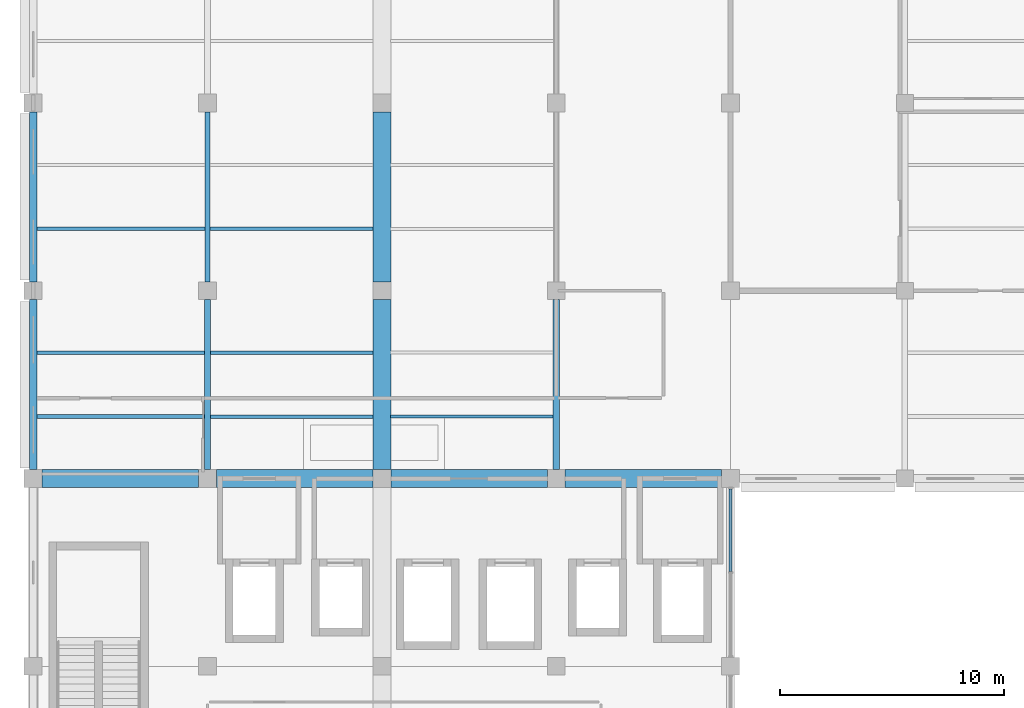
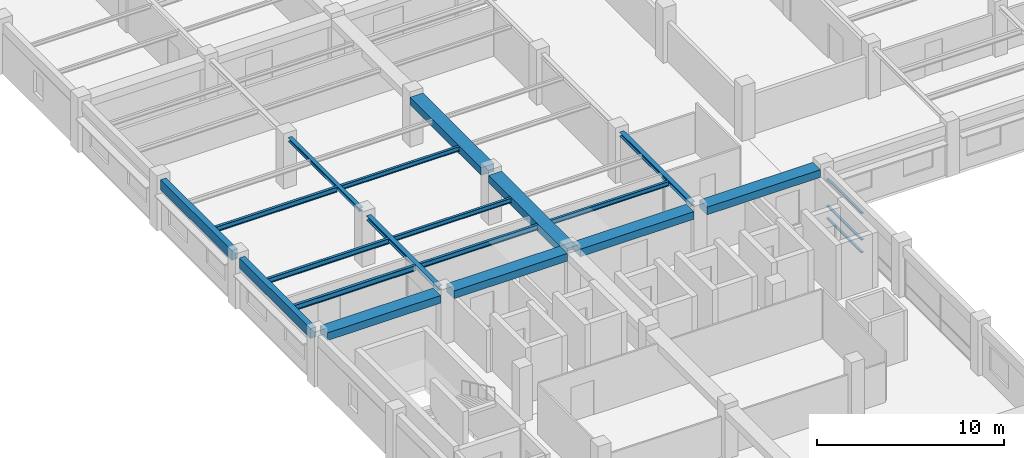
# One storey, part 4 of 50: 18 beams, 3 members, 1 element without a shape of its own.
"""IFC4 building model written with IfcOpenShell, lengths in metres."""

from ifc_helpers import new_model, si_unit, direction, frame, origin, origin_2d, place, context, subcontext, project, spatial, rectangle, hollow_rectangle, i_section, extrude, material, material_profile, profile_set, type_object, element, aggregate, save


model = new_model("IFC4")

# Units and contexts
model_context = context("Model", 3, precision=1e-05, world=origin(), true_north=direction((0.0, 1.0)))
body_context = subcontext(model_context, "Body", "Model", "MODEL_VIEW")
ifc_project = project(units=[si_unit("LENGTHUNIT", "METRE"), si_unit("AREAUNIT", "SQUARE_METRE"), si_unit("VOLUMEUNIT", "CUBIC_METRE"), si_unit("PLANEANGLEUNIT", "RADIAN"), si_unit("MASSUNIT", "GRAM", prefix="KILO"), si_unit("THERMODYNAMICTEMPERATUREUNIT", "KELVIN"), si_unit("POWERUNIT", "WATT")], contexts=[model_context])

# Site, building, storey
site_placement = place(None, origin())
site = spatial("IfcSite", under=ifc_project, at=site_placement, CompositionType="ELEMENT")
building_placement = place(site_placement, origin())
building = spatial("IfcBuilding", under=site, at=building_placement, Name="Srebrne Nadtorze General Hospital", CompositionType="ELEMENT")
storey_placement = place(building_placement, frame((0.0, 0.0, 14.39990234375)))
storey = spatial("IfcBuildingStorey", under=building, at=storey_placement, Name="L03", CompositionType="ELEMENT", Elevation=14.39990234375)

# Curtain wall, members
ifc_material_1 = material(Name="Anodised Aluminium", Category="aluminium")
curtain_wall_type = type_object("IfcCurtainWallType", Name="Unitised curtain wall 7600x2620", PredefinedType="NOTDEFINED", material=ifc_material_1)
curtain_wall_placement = place(storey_placement, origin())
curtain_wall = element("IfcCurtainWall", 1, at=curtain_wall_placement, inside=storey, type_object=curtain_wall_type, Name="Curtain wall CW-095", PredefinedType="NOTDEFINED")
ifc_material_2 = material(Name="Anodised Aluminium", Category="aluminium")
ifc_material_profile_1 = material_profile(ifc_material_2, hollow_rectangle(XDim=0.06494140625, YDim=0.139892578125, WallThickness=0.00390625, at=origin_2d()), Name="AL-TRN-65x140")
ifc_profile_set_1 = profile_set([ifc_material_profile_1], Name="Anodised Aluminium")
member_type = type_object("IfcMemberType", Name="Curtain transom 65x140", PredefinedType="USERDEFINED", material=ifc_profile_set_1)
member_1_placement = place(storey_placement, frame((54.60009765625, 46.232421875, 0.03271484375), z_axis=(0.0, 1.0, 0.0), x_axis=(0.0, 0.0, 1.0)))
member_1 = element("IfcMember", 2, at=member_1_placement, type_object=member_type, Name="CW-095 transom 2.1", ObjectType="TRANSOM", PredefinedType="USERDEFINED", context=body_context, shape_type="SweptSolid", body=[
    extrude(hollow_rectangle(XDim=0.06494140625, YDim=0.139892578125, WallThickness=0.00390625, at=origin_2d()), origin(), (0.0, 0.0, 1.0), 3.70263671875),
])
member_2_placement = place(storey_placement, frame((54.60009765625, 46.232421875, 0.85009765625), z_axis=(0.0, 1.0, 0.0), x_axis=(0.0, 0.0, 1.0)))
member_2 = element("IfcMember", 3, at=member_2_placement, type_object=member_type, Name="CW-095 transom 2.2", ObjectType="TRANSOM", PredefinedType="USERDEFINED", context=body_context, shape_type="SweptSolid", body=[
    extrude(hollow_rectangle(XDim=0.06494140625, YDim=0.139892578125, WallThickness=0.00390625, at=origin_2d()), origin(), (0.0, 0.0, 1.0), 3.70263671875),
])
member_3_placement = place(storey_placement, frame((54.60009765625, 46.232421875, 2.587646484375), z_axis=(0.0, 1.0, 0.0), x_axis=(0.0, 0.0, 1.0)))
member_3 = element("IfcMember", 4, at=member_3_placement, type_object=member_type, Name="CW-095 transom 2.3", ObjectType="TRANSOM", PredefinedType="USERDEFINED", context=body_context, shape_type="SweptSolid", body=[
    extrude(hollow_rectangle(XDim=0.06494140625, YDim=0.139892578125, WallThickness=0.00390625, at=origin_2d()), origin(), (0.0, 0.0, 1.0), 3.70263671875),
])
aggregate(curtain_wall, [member_1, member_2, member_3])

# Beams
ifc_material_3 = material(Name="Steel S355J2", Category="steel")
ifc_material_profile_2 = material_profile(ifc_material_3, i_section(OverallWidth=0.159912109375, OverallDepth=0.330078125, WebThickness=0.007568359375, FlangeThickness=0.011474609375, FilletRadius=0.01806640625, at=origin_2d()), Name="IPE-330")
ifc_profile_set_2 = profile_set([ifc_material_profile_2], Name="Steel S355J2")
beam_type_1 = type_object("IfcBeamType", Name="Deck joist IPE 330", PredefinedType="JOIST", material=ifc_profile_set_2)
beam_1_placement = place(storey_placement, frame((23.570068359375, 56.028076171875, 3.10498046875), z_axis=(1.0, 0.0, 0.0), x_axis=(0.0, 1.0, 0.0)))
element("IfcBeam", 5, at=beam_1_placement, inside=storey, type_object=beam_type_1, Name="Interstitial deck joist SJ-L03-0029", PredefinedType="JOIST", context=body_context, shape_type="SweptSolid", body=[
    extrude(i_section(OverallWidth=0.159912109375, OverallDepth=0.330078125, WebThickness=0.007568359375, FlangeThickness=0.011474609375, FilletRadius=0.01806640625, at=origin_2d()), origin(), (0.0, 0.0, 1.0), 7.494873046875),
])
beam_2_placement = place(storey_placement, frame((23.570068359375, 61.572021484375, 3.10498046875), z_axis=(1.0, 0.0, 0.0), x_axis=(0.0, 1.0, 0.0)))
element("IfcBeam", 6, at=beam_2_placement, inside=storey, type_object=beam_type_1, Name="Interstitial deck joist SJ-L03-0030", PredefinedType="JOIST", context=body_context, shape_type="SweptSolid", body=[
    extrude(i_section(OverallWidth=0.159912109375, OverallDepth=0.330078125, WebThickness=0.007568359375, FlangeThickness=0.011474609375, FilletRadius=0.01806640625, at=origin_2d()), origin(), (0.0, 0.0, 1.0), 7.514892578125),
])
beam_3_placement = place(storey_placement, frame((31.3349609375, 53.172119140625, 3.10498046875), z_axis=(1.0, 0.0, 0.0), x_axis=(0.0, 1.0, 0.0)))
element("IfcBeam", 7, at=beam_3_placement, inside=storey, type_object=beam_type_1, Name="Interstitial deck joist SJ-L03-0036", PredefinedType="JOIST", context=body_context, shape_type="SweptSolid", body=[
    extrude(i_section(OverallWidth=0.159912109375, OverallDepth=0.330078125, WebThickness=0.007568359375, FlangeThickness=0.011474609375, FilletRadius=0.01806640625, at=origin_2d()), origin(), (0.0, 0.0, 1.0), 7.27001953125),
])
ifc_material_4 = material(Name="Steel S355J2", Category="steel")
ifc_material_profile_3 = material_profile(ifc_material_4, i_section(OverallWidth=0.169921875, OverallDepth=0.360107421875, WebThickness=0.008056640625, FlangeThickness=0.0126953125, FilletRadius=0.01806640625, at=origin_2d()), Name="IPE-360")
ifc_profile_set_3 = profile_set([ifc_material_profile_3], Name="Steel S355J2")
beam_type_2 = type_object("IfcBeamType", Name="Deck joist IPE 360", PredefinedType="JOIST", material=ifc_profile_set_3)
beam_4_placement = place(storey_placement, frame((23.570068359375, 53.172119140625, 3.090087890625), z_axis=(1.0, 0.0, 0.0), x_axis=(0.0, 1.0, 0.0)))
element("IfcBeam", 8, at=beam_4_placement, inside=storey, type_object=beam_type_2, Name="Interstitial deck joist SJ-L03-0028", PredefinedType="JOIST", context=body_context, shape_type="SweptSolid", body=[
    extrude(i_section(OverallWidth=0.169921875, OverallDepth=0.360107421875, WebThickness=0.008056640625, FlangeThickness=0.0126953125, FilletRadius=0.01806640625, at=origin_2d()), origin(), (0.0, 0.0, 1.0), 7.494873046875),
])
ifc_material_5 = material(Name="Concrete C35/45", Category="concrete")
ifc_material_profile_4 = material_profile(ifc_material_5, rectangle(XDim=0.35009765625, YDim=0.64990234375, at=origin_2d()), Name="RC-BM-350x650")
ifc_profile_set_4 = profile_set([ifc_material_profile_4], Name="Concrete C35/45")
beam_type_3 = type_object("IfcBeamType", Name="Edge beam RC 350x650", PredefinedType="BEAM", material=ifc_profile_set_4)
beam_5_placement = place(storey_placement, frame((23.39990234375, 50.800048828125, 2.945068359375), z_axis=(0.0, 1.0, 0.0), x_axis=(-1.0, 0.0, 0.0)))
element("IfcBeam", 9, at=beam_5_placement, inside=storey, type_object=beam_type_3, Name="Beam BM-L03-Y-0793", PredefinedType="BEAM", context=body_context, shape_type="SweptSolid", body=[
    extrude(rectangle(XDim=0.35009765625, YDim=0.64990234375, at=origin_2d()), origin(), (0.0, 0.0, 1.0), 7.599853515625),
])
beam_6_placement = place(storey_placement, frame((23.39990234375, 59.199951171875, 2.945068359375), z_axis=(0.0, 1.0, 0.0), x_axis=(-1.0, 0.0, 0.0)))
element("IfcBeam", 10, at=beam_6_placement, inside=storey, type_object=beam_type_3, Name="Beam BM-L03-Y-0794", PredefinedType="BEAM", context=body_context, shape_type="SweptSolid", body=[
    extrude(rectangle(XDim=0.35009765625, YDim=0.64990234375, at=origin_2d()), origin(), (0.0, 0.0, 1.0), 7.60009765625),
])
ifc_material_6 = material(Name="Steel S355J2", Category="steel")
ifc_material_profile_5 = material_profile(ifc_material_6, i_section(OverallWidth=0.280029296875, OverallDepth=0.27001953125, WebThickness=0.008056640625, FlangeThickness=0.012939453125, FilletRadius=0.02392578125, at=origin_2d()), Name="HEA-280")
ifc_profile_set_5 = profile_set([ifc_material_profile_5], Name="Steel S355J2")
beam_type_4 = type_object("IfcBeamType", Name="Primary beam HEA 280", PredefinedType="BEAM", material=ifc_profile_set_5)
beam_7_placement = place(storey_placement, frame((46.800048828125, 50.800048828125, 3.135009765625), z_axis=(0.0, 1.0, 0.0), x_axis=(-1.0, 0.0, 0.0)))
element("IfcBeam", 11, at=beam_7_placement, inside=storey, type_object=beam_type_4, Name="Interstitial steel beam SB-L03-0005", PredefinedType="BEAM", context=body_context, shape_type="SweptSolid", body=[
    extrude(i_section(OverallWidth=0.280029296875, OverallDepth=0.27001953125, WebThickness=0.008056640625, FlangeThickness=0.012939453125, FilletRadius=0.02392578125, at=origin_2d()), origin(), (0.0, 0.0, 1.0), 7.599853515625),
])
ifc_material_7 = material(Name="Steel S355J2", Category="steel")
ifc_material_profile_6 = material_profile(ifc_material_7, i_section(OverallWidth=0.239990234375, OverallDepth=0.239990234375, WebThickness=0.010009765625, FlangeThickness=0.01708984375, FilletRadius=0.02099609375, at=origin_2d()), Name="HEB-240")
ifc_profile_set_6 = profile_set([ifc_material_profile_6], Name="Steel S355J2")
beam_type_5 = type_object("IfcBeamType", Name="Primary beam HEB 240", PredefinedType="BEAM", material=ifc_profile_set_6)
beam_8_placement = place(storey_placement, frame((31.199951171875, 59.199951171875, 3.150146484375), z_axis=(0.0, 1.0, 0.0), x_axis=(-1.0, 0.0, 0.0)))
element("IfcBeam", 12, at=beam_8_placement, inside=storey, type_object=beam_type_5, Name="Interstitial steel beam SB-L03-0002", PredefinedType="BEAM", context=body_context, shape_type="SweptSolid", body=[
    extrude(i_section(OverallWidth=0.239990234375, OverallDepth=0.239990234375, WebThickness=0.010009765625, FlangeThickness=0.01708984375, FilletRadius=0.02099609375, at=origin_2d()), origin(), (0.0, 0.0, 1.0), 7.60009765625),
])
ifc_material_8 = material(Name="Steel S355J2", Category="steel")
ifc_material_profile_7 = material_profile(ifc_material_8, i_section(OverallWidth=0.280029296875, OverallDepth=0.280029296875, WebThickness=0.010498046875, FlangeThickness=0.01806640625, FilletRadius=0.02392578125, at=origin_2d()), Name="HEB-280")
ifc_profile_set_7 = profile_set([ifc_material_profile_7], Name="Steel S355J2")
beam_type_6 = type_object("IfcBeamType", Name="Primary beam HEB 280", PredefinedType="BEAM", material=ifc_profile_set_7)
beam_9_placement = place(storey_placement, frame((31.199951171875, 50.800048828125, 3.130126953125), z_axis=(0.0, 1.0, 0.0), x_axis=(-1.0, 0.0, 0.0)))
element("IfcBeam", 13, at=beam_9_placement, inside=storey, type_object=beam_type_6, Name="Interstitial steel beam SB-L03-0001", PredefinedType="BEAM", context=body_context, shape_type="SweptSolid", body=[
    extrude(i_section(OverallWidth=0.280029296875, OverallDepth=0.280029296875, WebThickness=0.010498046875, FlangeThickness=0.01806640625, FilletRadius=0.02392578125, at=origin_2d()), origin(), (0.0, 0.0, 1.0), 7.599853515625),
])
ifc_material_9 = material(Name="Concrete C40/50", Category="concrete")
ifc_material_profile_8 = material_profile(ifc_material_9, rectangle(XDim=0.800048828125, YDim=0.5, at=origin_2d()), Name="RC-BM-800x500")
ifc_profile_set_8 = profile_set([ifc_material_profile_8], Name="Concrete C40/50")
beam_type_7 = type_object("IfcBeamType", Name="Primary beam RC 800x500", PredefinedType="BEAM", material=ifc_profile_set_8)
for number, where, z_axis, x_axis, name in (
    (14, (23.800048828125, 50.39990234375, 3.02001953125), (1.0, 0.0, 0.0), (0.0, 1.0, 0.0), "Beam BM-L03-X-0741"),
    (15, (31.60009765625, 50.39990234375, 3.02001953125), (1.0, 0.0, 0.0), (0.0, 1.0, 0.0), "Beam BM-L03-X-0742"),
    (16, (39.39990234375, 50.39990234375, 3.02001953125), (1.0, 0.0, 0.0), (0.0, 1.0, 0.0), "Beam BM-L03-X-0743"),
    (17, (47.199951171875, 50.39990234375, 3.02001953125), (1.0, 0.0, 0.0), (0.0, 1.0, 0.0), "Beam BM-L03-X-0744"),
):
    element("IfcBeam", number, at=place(storey_placement, frame(where, z_axis=z_axis, x_axis=x_axis)), inside=storey, type_object=beam_type_7, Name=name, PredefinedType="BEAM", context=body_context, shape_type="SweptSolid", body=[
        extrude(rectangle(XDim=0.800048828125, YDim=0.5, at=origin_2d()), origin(), (0.0, 0.0, 1.0), 7.0),
    ])
beam_10_placement = place(storey_placement, frame((39.0, 50.800048828125, 3.02001953125), z_axis=(0.0, 1.0, 0.0), x_axis=(-1.0, 0.0, 0.0)))
element("IfcBeam", 18, at=beam_10_placement, inside=storey, type_object=beam_type_7, Name="Beam BM-L03-Y-0804", PredefinedType="BEAM", context=body_context, shape_type="SweptSolid", body=[
    extrude(rectangle(XDim=0.800048828125, YDim=0.5, at=origin_2d()), origin(), (0.0, 0.0, 1.0), 7.599853515625),
])
beam_11_placement = place(storey_placement, frame((39.0, 59.199951171875, 3.02001953125), z_axis=(0.0, 1.0, 0.0), x_axis=(-1.0, 0.0, 0.0)))
element("IfcBeam", 19, at=beam_11_placement, inside=storey, type_object=beam_type_7, Name="Beam BM-L03-Y-0805", PredefinedType="BEAM", context=body_context, shape_type="SweptSolid", body=[
    extrude(rectangle(XDim=0.800048828125, YDim=0.5, at=origin_2d()), origin(), (0.0, 0.0, 1.0), 7.60009765625),
])
ifc_material_10 = material(Name="Steel S355J2", Category="steel")
ifc_material_profile_9 = material_profile(ifc_material_10, i_section(OverallWidth=0.14990234375, OverallDepth=0.300048828125, WebThickness=0.007080078125, FlangeThickness=0.0107421875, FilletRadius=0.014892578125, at=origin_2d()), Name="IPE-300")
ifc_profile_set_9 = profile_set([ifc_material_profile_9], Name="Steel S355J2")
beam_type_8 = type_object("IfcBeamType", Name="Secondary joist IPE 300", PredefinedType="JOIST", material=ifc_profile_set_9)
beam_12_placement = place(storey_placement, frame((31.3349609375, 56.028076171875, 3.1201171875), z_axis=(1.0, 0.0, 0.0), x_axis=(0.0, 1.0, 0.0)))
element("IfcBeam", 20, at=beam_12_placement, inside=storey, type_object=beam_type_8, Name="Interstitial deck joist SJ-L03-0037", PredefinedType="JOIST", context=body_context, shape_type="SweptSolid", body=[
    extrude(i_section(OverallWidth=0.14990234375, OverallDepth=0.300048828125, WebThickness=0.007080078125, FlangeThickness=0.0107421875, FilletRadius=0.014892578125, at=origin_2d()), origin(), (0.0, 0.0, 1.0), 7.27001953125),
])
beam_13_placement = place(storey_placement, frame((31.31494140625, 61.572021484375, 3.1201171875), z_axis=(1.0, 0.0, 0.0), x_axis=(0.0, 1.0, 0.0)))
element("IfcBeam", 21, at=beam_13_placement, inside=storey, type_object=beam_type_8, Name="Interstitial deck joist SJ-L03-0038", PredefinedType="JOIST", context=body_context, shape_type="SweptSolid", body=[
    extrude(i_section(OverallWidth=0.14990234375, OverallDepth=0.300048828125, WebThickness=0.007080078125, FlangeThickness=0.0107421875, FilletRadius=0.014892578125, at=origin_2d()), origin(), (0.0, 0.0, 1.0), 7.2900390625),
])
beam_14_placement = place(storey_placement, frame((39.39501953125, 53.172119140625, 3.1201171875), z_axis=(1.0, 0.0, 0.0), x_axis=(0.0, 1.0, 0.0)))
element("IfcBeam", 22, at=beam_14_placement, inside=storey, type_object=beam_type_8, Name="Interstitial deck joist SJ-L03-0044", PredefinedType="JOIST", context=body_context, shape_type="SweptSolid", body=[
    extrude(i_section(OverallWidth=0.14990234375, OverallDepth=0.300048828125, WebThickness=0.007080078125, FlangeThickness=0.0107421875, FilletRadius=0.014892578125, at=origin_2d()), origin(), (0.0, 0.0, 1.0), 7.27001953125),
])

save(model, "model.ifc")
